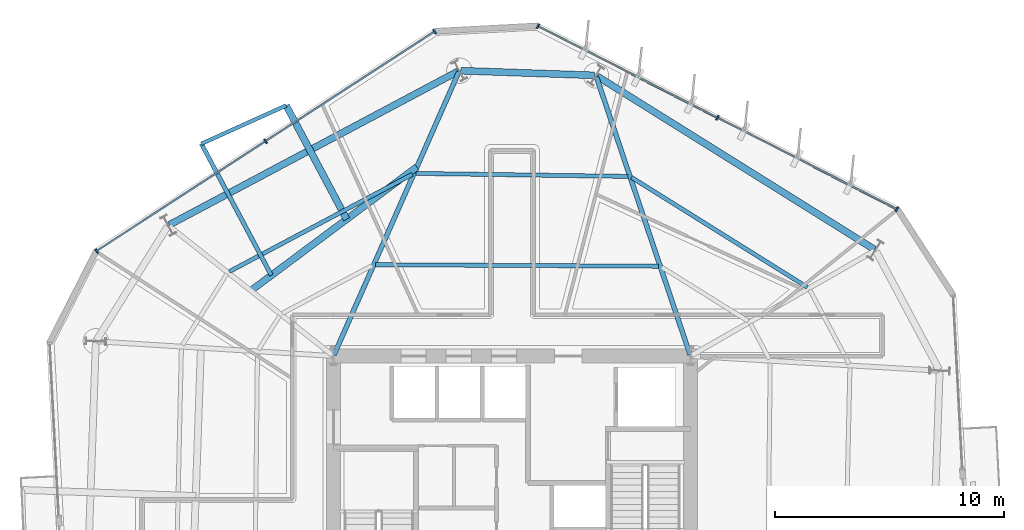
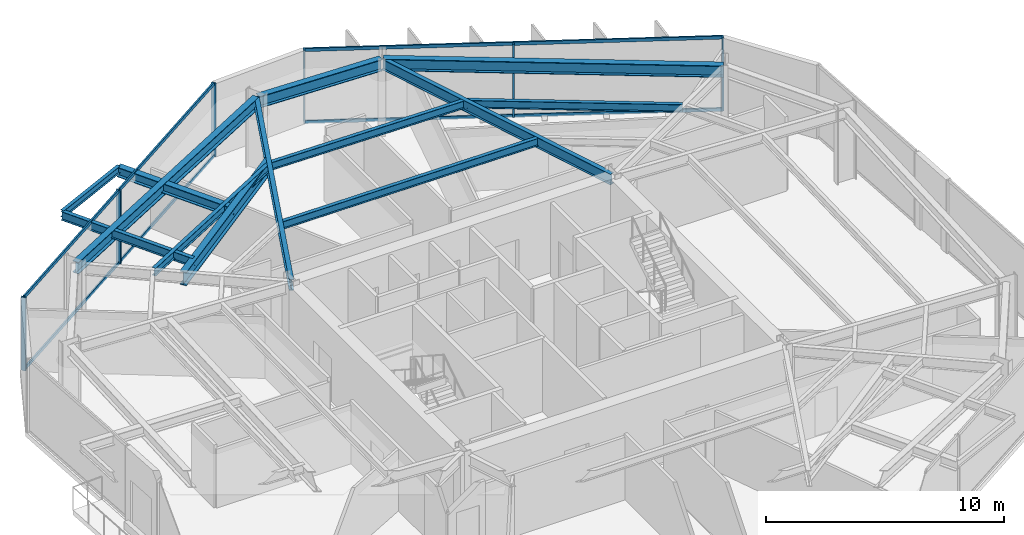
# One storey, part 5 of 12: 14 members, 13 beams, 2 elements without a shape of their own.
"""IFC4 building model written with IfcOpenShell, lengths in metres."""

from ifc_helpers import new_model, si_unit, direction, frame, origin, origin_2d, place, context, subcontext, project, spatial, rectangle, i_section, extrude, material, layer, layer_set, material_profile, profile_set, type_object, element, aggregate, save


model = new_model("IFC4")

# Units and contexts
model_context = context("Model", 3, precision=1e-05, world=origin(), true_north=direction((0.0, 1.0)))
body_context = subcontext(model_context, "Body", "Model", "MODEL_VIEW")
ifc_project = project(units=[si_unit("LENGTHUNIT", "METRE"), si_unit("AREAUNIT", "SQUARE_METRE"), si_unit("VOLUMEUNIT", "CUBIC_METRE"), si_unit("PLANEANGLEUNIT", "RADIAN"), si_unit("MASSUNIT", "GRAM", prefix="KILO")], contexts=[model_context])

# Site, building, storey
site_placement = place(None, origin())
site = spatial("IfcSite", under=ifc_project, at=site_placement, CompositionType="ELEMENT")
building_placement = place(site_placement, origin())
building = spatial("IfcBuilding", under=site, at=building_placement, Name="Kranzbogen Civic Tower", CompositionType="ELEMENT")
storey_placement = place(building_placement, frame((0.0, 0.0, 154.39990234375)))
storey = spatial("IfcBuildingStorey", under=building, at=storey_placement, Name="L37", CompositionType="ELEMENT", Elevation=154.39990234375)

# Beam
ifc_material_1 = material(Name="Steel S355", Category="steel")
ifc_material_profile_1 = material_profile(ifc_material_1, i_section(OverallWidth=0.18994140625, OverallDepth=0.449951171875, WebThickness=0.009521484375, FlangeThickness=0.0146484375, at=origin_2d()), Name="IPE 450")
ifc_profile_set_1 = profile_set([ifc_material_profile_1], Name="Steel S355")
beam_type_1 = type_object("IfcBeamType", Name="Braced Terrace Edge Beam IPE 450", PredefinedType="BEAM", material=ifc_profile_set_1)
beam_1_placement = place(storey_placement, frame((14.48388671875, 35.72509765625, 3.525146484375), z_axis=(-0.469473100649, 0.882946775161, 0.0), x_axis=(-0.882946775161, -0.469473100649, 0.0)))
element("IfcBeam", 1, at=beam_1_placement, inside=storey, type_object=beam_type_1, Name="L38 back-spanned terrace beam L38-TB2-2", PredefinedType="BEAM", context=body_context, shape_type="SweptSolid", body=[
    extrude(i_section(OverallWidth=0.18994140625, OverallDepth=0.449951171875, WebThickness=0.009521484375, FlangeThickness=0.0146484375, at=origin_2d()), origin(), (0.0, 0.0, 1.0), 6.513427734375),
])

# Curtain wall, members
ifc_material_2 = material(Name="Pale Anodised Aluminium", Category="aluminium")
ifc_layer = layer(ifc_material_2, 0.219970703125, Name="Pale Anodised Aluminium")
ifc_layer_set = layer_set([ifc_layer], Name="Pale Anodised Aluminium")
curtain_wall_type = type_object("IfcCurtainWallType", Name="Zone 2 Stick Curtain Wall System CW-03", PredefinedType="USERDEFINED", material=ifc_layer_set)
curtain_wall_1_placement = place(storey_placement, origin())
curtain_wall_1 = element("IfcCurtainWall", 2, at=curtain_wall_1_placement, inside=storey, type_object=curtain_wall_type, Name="L37 curtain wall CW-L37-F1", ObjectType="STICK CURTAIN WALL", PredefinedType="USERDEFINED")
ifc_material_profile_2 = material_profile(ifc_material_2, rectangle(XDim=0.074951171875, YDim=0.219970703125, at=origin_2d()), Name="ALU-M 75x220")
ifc_profile_set_2 = profile_set([ifc_material_profile_2], Name="Pale Anodised Aluminium")
member_type_1 = type_object("IfcMemberType", Name="Curtain Wall Mullion ALU-M 75x220", PredefinedType="MULLION", material=ifc_profile_set_2)
member_1_placement = place(storey_placement, frame((41.8212890625, 38.62060546875, 0.0), z_axis=(0.0, 0.0, 1.0), x_axis=(-0.891017035872, 0.453969868809, 0.0)))
member_1 = element("IfcMember", 3, at=member_1_placement, type_object=member_type_1, Name="CW-03 mullion 1", PredefinedType="MULLION", context=body_context, shape_type="SweptSolid", body=[
    extrude(rectangle(XDim=0.074951171875, YDim=0.219970703125, at=origin_2d()), origin(), (0.0, 0.0, 1.0), 3.760009765625),
])
member_2_placement = place(storey_placement, frame((33.9765625, 42.617431640625, 0.0), z_axis=(0.0, 0.0, 1.0), x_axis=(-0.891017035872, 0.453969868809, 0.0)))
member_2 = element("IfcMember", 4, at=member_2_placement, type_object=member_type_1, Name="CW-03 mullion 2", PredefinedType="MULLION", context=body_context, shape_type="SweptSolid", body=[
    extrude(rectangle(XDim=0.074951171875, YDim=0.219970703125, at=origin_2d()), origin(), (0.0, 0.0, 1.0), 3.760009765625),
])
member_3_placement = place(storey_placement, frame((26.1318359375, 46.614501953125, 0.0), z_axis=(0.0, 0.0, 1.0), x_axis=(-0.891017035872, 0.453969868809, 0.0)))
member_3 = element("IfcMember", 5, at=member_3_placement, type_object=member_type_1, Name="CW-03 mullion 3", PredefinedType="MULLION", context=body_context, shape_type="SweptSolid", body=[
    extrude(rectangle(XDim=0.074951171875, YDim=0.219970703125, at=origin_2d()), origin(), (0.0, 0.0, 1.0), 3.760009765625),
])

curtain_wall_2_placement = place(storey_placement, origin())
curtain_wall_2 = element("IfcCurtainWall", 6, at=curtain_wall_2_placement, inside=storey, type_object=curtain_wall_type, Name="L37 curtain wall CW-L37-F2", ObjectType="STICK CURTAIN WALL", PredefinedType="USERDEFINED")
member_4_placement = place(storey_placement, frame((21.61474609375, 46.377685546875, 0.0), z_axis=(0.0, 0.0, 1.0), x_axis=(-0.83865175397, -0.544668004901, 0.0)))
member_4 = element("IfcMember", 7, at=member_4_placement, type_object=member_type_1, Name="CW-03 mullion 1", PredefinedType="MULLION", context=body_context, shape_type="SweptSolid", body=[
    extrude(rectangle(XDim=0.074951171875, YDim=0.219970703125, at=origin_2d()), origin(), (0.0, 0.0, 1.0), 3.760009765625),
])
member_5_placement = place(storey_placement, frame((14.2314453125, 41.58251953125, 0.0), z_axis=(0.0, 0.0, 1.0), x_axis=(-0.83865175397, -0.544668004901, 0.0)))
member_5 = element("IfcMember", 8, at=member_5_placement, type_object=member_type_1, Name="CW-03 mullion 2", PredefinedType="MULLION", context=body_context, shape_type="SweptSolid", body=[
    extrude(rectangle(XDim=0.074951171875, YDim=0.219970703125, at=origin_2d()), origin(), (0.0, 0.0, 1.0), 3.760009765625),
])
member_6_placement = place(storey_placement, frame((6.84814453125, 36.787353515625, 0.0), z_axis=(0.0, 0.0, 1.0), x_axis=(-0.83865175397, -0.544668004901, 0.0)))
member_6 = element("IfcMember", 9, at=member_6_placement, type_object=member_type_1, Name="CW-03 mullion 3", PredefinedType="MULLION", context=body_context, shape_type="SweptSolid", body=[
    extrude(rectangle(XDim=0.074951171875, YDim=0.219970703125, at=origin_2d()), origin(), (0.0, 0.0, 1.0), 3.760009765625),
])

# Member
ifc_material_profile_3 = material_profile(ifc_material_2, rectangle(XDim=0.074951171875, YDim=0.1650390625, at=origin_2d()), Name="ALU-T 75x165")
ifc_profile_set_3 = profile_set([ifc_material_profile_3], Name="Pale Anodised Aluminium")
member_type_2 = type_object("IfcMemberType", Name="Curtain Wall Transom ALU-T 75x165", PredefinedType="USERDEFINED", material=ifc_profile_set_3)
member_7_placement = place(storey_placement, frame((41.79443359375, 38.63427734375, 0.030029296875), z_axis=(-0.891023302784, 0.453957568388, 0.0), x_axis=(-0.453957568388, -0.891023302784, 0.0)))
member_7 = element("IfcMember", 10, at=member_7_placement, type_object=member_type_2, Name="CW-03 transom 1.1", ObjectType="TRANSOM", PredefinedType="USERDEFINED", context=body_context, shape_type="SweptSolid", body=[
    extrude(rectangle(XDim=0.074951171875, YDim=0.1650390625, at=origin_2d()), origin(), (0.0, 0.0, 1.0), 8.744140625),
])

member_8_placement = place(storey_placement, frame((41.79443359375, 38.63427734375, 3.72998046875), z_axis=(-0.891023302784, 0.453957568388, 0.0), x_axis=(-0.453957568388, -0.891023302784, 0.0)))
member_8 = element("IfcMember", 11, at=member_8_placement, type_object=member_type_2, Name="CW-03 transom 1.2", ObjectType="TRANSOM", PredefinedType="USERDEFINED", context=body_context, shape_type="SweptSolid", body=[
    extrude(rectangle(XDim=0.074951171875, YDim=0.1650390625, at=origin_2d()), origin(), (0.0, 0.0, 1.0), 8.744140625),
])

member_9_placement = place(storey_placement, frame((33.94970703125, 42.631103515625, 0.030029296875), z_axis=(-0.891012009224, 0.45397973459, 0.0), x_axis=(-0.45397973459, -0.891012009224, 0.0)))
member_9 = element("IfcMember", 12, at=member_9_placement, type_object=member_type_2, Name="CW-03 transom 2.1", ObjectType="TRANSOM", PredefinedType="USERDEFINED", context=body_context, shape_type="SweptSolid", body=[
    extrude(rectangle(XDim=0.074951171875, YDim=0.1650390625, at=origin_2d()), origin(), (0.0, 0.0, 1.0), 8.744384765625),
])

member_10_placement = place(storey_placement, frame((33.94970703125, 42.631103515625, 3.72998046875), z_axis=(-0.891012009224, 0.45397973459, 0.0), x_axis=(-0.45397973459, -0.891012009224, 0.0)))
member_10 = element("IfcMember", 13, at=member_10_placement, type_object=member_type_2, Name="CW-03 transom 2.2", ObjectType="TRANSOM", PredefinedType="USERDEFINED", context=body_context, shape_type="SweptSolid", body=[
    extrude(rectangle(XDim=0.074951171875, YDim=0.1650390625, at=origin_2d()), origin(), (0.0, 0.0, 1.0), 8.744384765625),
])

aggregate(curtain_wall_1, [member_1, member_2, member_3, member_7, member_8, member_9, member_10])

member_11_placement = place(storey_placement, frame((21.589599609375, 46.361328125, 0.030029296875), z_axis=(-0.838652794659, -0.544666402498, 0.0), x_axis=(0.544666402498, -0.838652794659, 0.0)))
member_11 = element("IfcMember", 14, at=member_11_placement, type_object=member_type_2, Name="CW-03 transom 1.1", ObjectType="TRANSOM", PredefinedType="USERDEFINED", context=body_context, shape_type="SweptSolid", body=[
    extrude(rectangle(XDim=0.074951171875, YDim=0.1650390625, at=origin_2d()), origin(), (0.0, 0.0, 1.0), 8.743896484375),
])

member_12_placement = place(storey_placement, frame((21.589599609375, 46.361328125, 3.72998046875), z_axis=(-0.838652794659, -0.544666402498, 0.0), x_axis=(0.544666402498, -0.838652794659, 0.0)))
member_12 = element("IfcMember", 15, at=member_12_placement, type_object=member_type_2, Name="CW-03 transom 1.2", ObjectType="TRANSOM", PredefinedType="USERDEFINED", context=body_context, shape_type="SweptSolid", body=[
    extrude(rectangle(XDim=0.074951171875, YDim=0.1650390625, at=origin_2d()), origin(), (0.0, 0.0, 1.0), 8.743896484375),
])

member_13_placement = place(storey_placement, frame((14.206298828125, 41.566162109375, 0.030029296875), z_axis=(-0.838652794659, -0.544666402498, 0.0), x_axis=(0.544666402498, -0.838652794659, 0.0)))
member_13 = element("IfcMember", 16, at=member_13_placement, type_object=member_type_2, Name="CW-03 transom 2.1", ObjectType="TRANSOM", PredefinedType="USERDEFINED", context=body_context, shape_type="SweptSolid", body=[
    extrude(rectangle(XDim=0.074951171875, YDim=0.1650390625, at=origin_2d()), origin(), (0.0, 0.0, 1.0), 8.743896484375),
])

member_14_placement = place(storey_placement, frame((14.206298828125, 41.566162109375, 3.72998046875), z_axis=(-0.838652794659, -0.544666402498, 0.0), x_axis=(0.544666402498, -0.838652794659, 0.0)))
member_14 = element("IfcMember", 17, at=member_14_placement, type_object=member_type_2, Name="CW-03 transom 2.2", ObjectType="TRANSOM", PredefinedType="USERDEFINED", context=body_context, shape_type="SweptSolid", body=[
    extrude(rectangle(XDim=0.074951171875, YDim=0.1650390625, at=origin_2d()), origin(), (0.0, 0.0, 1.0), 8.743896484375),
])

aggregate(curtain_wall_2, [member_4, member_5, member_6, member_11, member_12, member_13, member_14])

# Beams
ifc_material_profile_4 = material_profile(ifc_material_1, i_section(OverallWidth=0.300048828125, OverallDepth=0.5, WebThickness=0.014404296875, FlangeThickness=0.028076171875, at=origin_2d()), Name="HEB 500")
ifc_profile_set_4 = profile_set([ifc_material_profile_4], Name="Steel S355")
beam_type_2 = type_object("IfcBeamType", Name="Perimeter Tube Spandrel Beam HEB 500", PredefinedType="SPANDREL", material=ifc_profile_set_4)
beam_2_placement = place(storey_placement, frame((17.77490234375, 38.177001953125, 3.5), z_axis=(-0.469424607444, 0.882972557856, 0.0), x_axis=(-0.882972557856, -0.469424607444, 0.0)))
element("IfcBeam", 18, at=beam_2_placement, inside=storey, type_object=beam_type_2, Name="L38 back-spanned terrace beam L38-TB2-1", PredefinedType="SPANDREL", context=body_context, shape_type="SweptSolid", body=[
    extrude(i_section(OverallWidth=0.300048828125, OverallDepth=0.5, WebThickness=0.014404296875, FlangeThickness=0.028076171875, at=origin_2d()), origin(), (0.0, 0.0, 1.0), 5.632080078125),
])
ifc_material_profile_5 = material_profile(ifc_material_1, i_section(OverallWidth=0.300048828125, OverallDepth=0.60009765625, WebThickness=0.015380859375, FlangeThickness=0.030029296875, at=origin_2d()), Name="HEB 600")
ifc_profile_set_5 = profile_set([ifc_material_profile_5], Name="Steel S355")
beam_type_3 = type_object("IfcBeamType", Name="Perimeter Tube Spandrel Beam HEB 600", PredefinedType="SPANDREL", material=ifc_profile_set_5)
beam_3_placement = place(storey_placement, frame((40.8349609375, 36.861083984375, 3.460205078125), z_axis=(-0.848051101349, 0.52991445489, 0.0), x_axis=(-0.52991445489, -0.848051101349, 0.0)))
element("IfcBeam", 19, at=beam_3_placement, inside=storey, type_object=beam_type_3, Name="L37 perimeter spandrel beam 08", PredefinedType="SPANDREL", context=body_context, shape_type="SweptSolid", body=[
    extrude(i_section(OverallWidth=0.300048828125, OverallDepth=0.60009765625, WebThickness=0.015380859375, FlangeThickness=0.030029296875, at=origin_2d()), origin(), (0.0, 0.0, 1.0), 14.286865234375),
])
beam_4_placement = place(storey_placement, frame((28.60791015625, 44.466064453125, 3.460205078125), z_axis=(-0.999393148233, 0.03483296234, 0.0), x_axis=(-0.03483296234, -0.999393148233, 0.0)))
element("IfcBeam", 20, at=beam_4_placement, inside=storey, type_object=beam_type_3, Name="L37 perimeter spandrel beam 09", PredefinedType="SPANDREL", context=body_context, shape_type="SweptSolid", body=[
    extrude(i_section(OverallWidth=0.300048828125, OverallDepth=0.60009765625, WebThickness=0.015380859375, FlangeThickness=0.030029296875, at=origin_2d()), origin(), (0.0, 0.0, 1.0), 5.8525390625),
])
beam_5_placement = place(storey_placement, frame((22.64599609375, 44.64404296875, 3.460205078125), z_axis=(-0.882948194046, -0.469470432116, 0.0), x_axis=(0.469470432116, -0.882948194046, 0.0)))
element("IfcBeam", 21, at=beam_5_placement, inside=storey, type_object=beam_type_3, Name="L37 perimeter spandrel beam 10", PredefinedType="SPANDREL", context=body_context, shape_type="SweptSolid", body=[
    extrude(i_section(OverallWidth=0.300048828125, OverallDepth=0.60009765625, WebThickness=0.015380859375, FlangeThickness=0.030029296875, at=origin_2d()), origin(), (0.0, 0.0, 1.0), 14.28857421875),
])
ifc_material_profile_6 = material_profile(ifc_material_1, i_section(OverallWidth=0.300048828125, OverallDepth=0.699951171875, WebThickness=0.01708984375, FlangeThickness=0.031982421875, at=origin_2d()), Name="HEB 700")
ifc_profile_set_6 = profile_set([ifc_material_profile_6], Name="Steel S355")
beam_type_4 = type_object("IfcBeamType", Name="Perimeter Tube Spandrel Beam HEB 700", PredefinedType="SPANDREL", material=ifc_profile_set_6)
beam_6_placement = place(storey_placement, frame((20.843017578125, 40.462890625, 3.400146484375), z_axis=(-0.801896259305, -0.597463295369, 0.0), x_axis=(0.597463295369, -0.801896259305, 0.0)))
element("IfcBeam", 22, at=beam_6_placement, inside=storey, type_object=beam_type_4, Name="L38 balcony back-span header girder L38-TB2", PredefinedType="SPANDREL", context=body_context, shape_type="SweptSolid", body=[
    extrude(i_section(OverallWidth=0.300048828125, OverallDepth=0.699951171875, WebThickness=0.01708984375, FlangeThickness=0.031982421875, at=origin_2d()), origin(), (0.0, 0.0, 1.0), 9.0498046875),
])
ifc_material_profile_7 = material_profile(ifc_material_1, i_section(OverallWidth=0.2099609375, OverallDepth=0.550048828125, WebThickness=0.010986328125, FlangeThickness=0.01708984375, at=origin_2d()), Name="IPE 550")
ifc_profile_set_7 = profile_set([ifc_material_profile_7], Name="Steel S355")
beam_type_5 = type_object("IfcBeamType", Name="Radial Tower Floor Girder IPE 550", PredefinedType="BEAM", material=ifc_profile_set_7)
beam_7_placement = place(storey_placement, frame((28.68701171875, 44.406982421875, 3.485107421875), z_axis=(0.319316617377, -0.947648087566, 0.0), x_axis=(0.947648087566, 0.319316617377, 0.0)))
element("IfcBeam", 23, at=beam_7_placement, inside=storey, type_object=beam_type_5, Name="L37 radial floor girder 09", PredefinedType="BEAM", context=body_context, shape_type="SweptSolid", body=[
    extrude(i_section(OverallWidth=0.2099609375, OverallDepth=0.550048828125, WebThickness=0.010986328125, FlangeThickness=0.01708984375, at=origin_2d()), origin(), (0.0, 0.0, 1.0), 12.821044921875),
])
beam_8_placement = place(storey_placement, frame((22.675048828125, 44.616943359375, 3.485107421875), z_axis=(-0.403459127705, -0.914997667905, 0.0), x_axis=(0.914997667905, -0.403459127705, 0.0)))
element("IfcBeam", 24, at=beam_8_placement, inside=storey, type_object=beam_type_5, Name="L37 radial floor girder 10", PredefinedType="BEAM", context=body_context, shape_type="SweptSolid", body=[
    extrude(i_section(OverallWidth=0.2099609375, OverallDepth=0.550048828125, WebThickness=0.010986328125, FlangeThickness=0.01708984375, at=origin_2d()), origin(), (0.0, 0.0, 1.0), 13.510498046875),
])
ifc_material_profile_8 = material_profile(ifc_material_1, i_section(OverallWidth=0.169921875, OverallDepth=0.360107421875, WebThickness=0.008056640625, FlangeThickness=0.0126953125, at=origin_2d()), Name="IPE 360")
ifc_profile_set_8 = profile_set([ifc_material_profile_8], Name="Steel S355")
beam_type_6 = type_object("IfcBeamType", Name="Secondary Composite Floor Joist IPE 360", PredefinedType="JOIST", material=ifc_profile_set_8)
beam_9_placement = place(storey_placement, frame((15.131103515625, 43.14990234375, 3.570068359375), z_axis=(-0.911318275645, -0.411702563114, 0.0), x_axis=(0.411702563114, -0.911318275645, 0.0)))
element("IfcBeam", 25, at=beam_9_placement, inside=storey, type_object=beam_type_6, Name="L38 terrace outer edge trimmer L38-TB2", PredefinedType="JOIST", context=body_context, shape_type="SweptSolid", body=[
    extrude(i_section(OverallWidth=0.169921875, OverallDepth=0.360107421875, WebThickness=0.008056640625, FlangeThickness=0.0126953125, at=origin_2d()), origin(), (0.0, 0.0, 1.0), 4.065673828125),
])
ifc_material_profile_9 = material_profile(ifc_material_1, i_section(OverallWidth=0.179931640625, OverallDepth=0.39990234375, WebThickness=0.008544921875, FlangeThickness=0.013427734375, at=origin_2d()), Name="IPE 400")
ifc_profile_set_9 = profile_set([ifc_material_profile_9], Name="Steel S355")
beam_type_7 = type_object("IfcBeamType", Name="Secondary Composite Floor Joist IPE 400", PredefinedType="JOIST", material=ifc_profile_set_9)
beam_10_placement = place(storey_placement, frame((37.906982421875, 35.205078125, 3.56005859375), z_axis=(-0.848025549308, 0.529955345026, 0.0), x_axis=(-0.529955345026, -0.848025549308, 0.0)))
element("IfcBeam", 26, at=beam_10_placement, inside=storey, type_object=beam_type_7, Name="L37 secondary floor joist 1.08", PredefinedType="JOIST", context=body_context, shape_type="SweptSolid", body=[
    extrude(i_section(OverallWidth=0.179931640625, OverallDepth=0.39990234375, WebThickness=0.008544921875, FlangeThickness=0.013427734375, at=origin_2d()), origin(), (0.0, 0.0, 1.0), 9.06103515625),
])
beam_11_placement = place(storey_placement, frame((30.075927734375, 40.050048828125, 3.56005859375), z_axis=(-0.999900525148, 0.014104602386, 0.0), x_axis=(-0.014104602386, -0.999900525148, 0.0)))
element("IfcBeam", 27, at=beam_11_placement, inside=storey, type_object=beam_type_7, Name="L37 secondary floor joist 1.09", PredefinedType="JOIST", context=body_context, shape_type="SweptSolid", body=[
    extrude(i_section(OverallWidth=0.179931640625, OverallDepth=0.39990234375, WebThickness=0.008544921875, FlangeThickness=0.013427734375, at=origin_2d()), origin(), (0.0, 0.0, 1.0), 9.27783203125),
])
beam_12_placement = place(storey_placement, frame((31.39794921875, 36.125, 3.56005859375), z_axis=(-0.999985774147, 0.005333995002, 0.0), x_axis=(-0.005333995002, -0.999985774147, 0.0)))
element("IfcBeam", 28, at=beam_12_placement, inside=storey, type_object=beam_type_7, Name="L37 secondary floor joist 2.09", PredefinedType="JOIST", context=body_context, shape_type="SweptSolid", body=[
    extrude(i_section(OverallWidth=0.179931640625, OverallDepth=0.39990234375, WebThickness=0.008544921875, FlangeThickness=0.013427734375, at=origin_2d()), origin(), (0.0, 0.0, 1.0), 12.358154296875),
])
beam_13_placement = place(storey_placement, frame((20.64892578125, 40.14501953125, 3.56005859375), z_axis=(-0.882960787661, -0.469446746131, 0.0), x_axis=(0.469446746131, -0.882960787661, 0.0)))
element("IfcBeam", 29, at=beam_13_placement, inside=storey, type_object=beam_type_7, Name="L37 secondary floor joist 1.10", PredefinedType="JOIST", context=body_context, shape_type="SweptSolid", body=[
    extrude(i_section(OverallWidth=0.179931640625, OverallDepth=0.39990234375, WebThickness=0.008544921875, FlangeThickness=0.013427734375, at=origin_2d()), origin(), (0.0, 0.0, 1.0), 9.0615234375),
])

save(model, "model.ifc")
